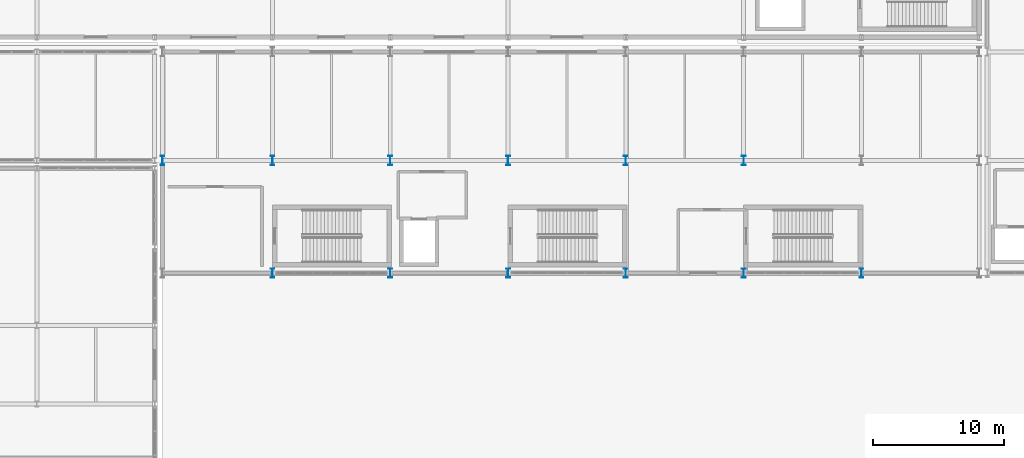
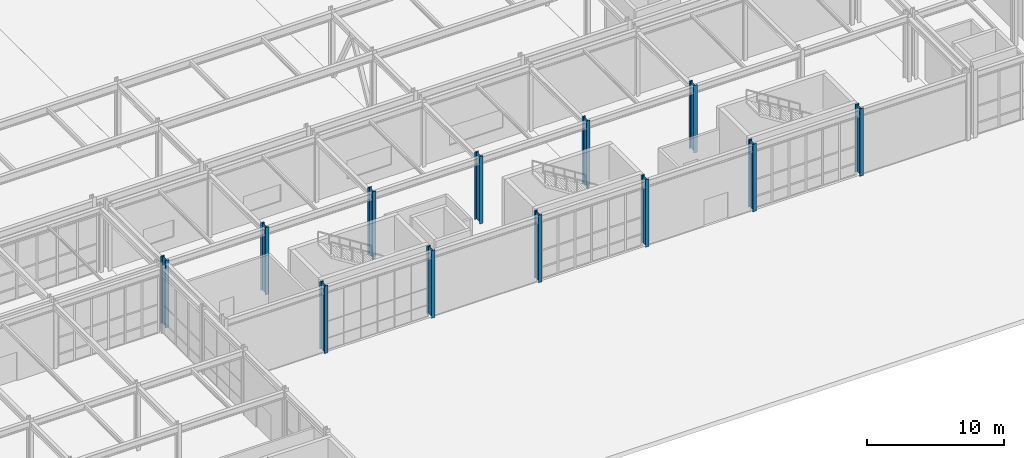
# One storey, part 5 of 146: 12 columns.
"""IFC4 building model written with IfcOpenShell, lengths in metres."""

from ifc_helpers import new_model, si_unit, direction, frame, origin, origin_2d, place, context, subcontext, project, spatial, i_section, extrude, material, material_profile, profile_set, type_object, element, save


model = new_model("IFC4")

# Units and contexts
model_context = context("Model", 3, precision=1e-05, world=origin(), true_north=direction((0.0, 1.0)))
body_context = subcontext(model_context, "Body", "Model", "MODEL_VIEW")
ifc_project = project(units=[si_unit("LENGTHUNIT", "METRE"), si_unit("AREAUNIT", "SQUARE_METRE"), si_unit("VOLUMEUNIT", "CUBIC_METRE"), si_unit("PLANEANGLEUNIT", "RADIAN"), si_unit("MASSUNIT", "GRAM", prefix="KILO")], contexts=[model_context])

# Site, building, storey
site_placement = place(None, origin())
site = spatial("IfcSite", under=ifc_project, at=site_placement, CompositionType="ELEMENT")
building_placement = place(site_placement, origin())
building = spatial("IfcBuilding", under=site, at=building_placement, Name="Kaldris Quays Convention Centre", CompositionType="ELEMENT")
storey_placement = place(building_placement, origin())
storey = spatial("IfcBuildingStorey", under=building, at=storey_placement, Name="L00", CompositionType="ELEMENT", Elevation=0.0)

# Columns
ifc_material = material(Name="Steel S355J2", Category="steel")
ifc_material_profile = material_profile(ifc_material, i_section(OverallWidth=0.300048828125, OverallDepth=0.699951171875, WebThickness=0.01708984375, FlangeThickness=0.031982421875, FilletRadius=0.027099609375, at=origin_2d()), Name="HEB 700")
ifc_profile_set = profile_set([ifc_material_profile], Name="Steel S355J2")
column_type = type_object("IfcColumnType", Name="STRUCTURAL COLUMN CL05", PredefinedType="COLUMN", material=ifc_profile_set)
for number, where, z_axis, x_axis, name in (
    (1, (83.60009765625, 46.60009765625, 0.0), (0.0, 0.0, 1.0), (1.0, 0.0, 0.0), "L00 V4 Column CL05 (83.60, 46.60)"),
    (2, (92.0, 38.0, 0.0), (0.0, 0.0, 1.0), (1.0, 0.0, 0.0), "L00 V4 Column CL05 (92.00, 38.00)"),
    (3, (92.0, 46.60009765625, 0.0), (0.0, 0.0, 1.0), (1.0, 0.0, 0.0), "L00 V4 Column CL05 (92.00, 46.60)"),
    (4, (101.0, 38.0, 0.0), (0.0, 0.0, 1.0), (1.0, 0.0, 0.0), "L00 V4 Column CL05 (101.00, 38.00)"),
    (5, (101.0, 46.60009765625, 0.0), (0.0, 0.0, 1.0), (1.0, 0.0, 0.0), "L00 V4 Column CL05 (101.00, 46.60)"),
    (6, (110.0, 38.0, 0.0), (0.0, 0.0, 1.0), (1.0, 0.0, 0.0), "L00 V4 Column CL05 (110.00, 38.00)"),
    (7, (110.0, 46.60009765625, 0.0), (0.0, 0.0, 1.0), (1.0, 0.0, 0.0), "L00 V4 Column CL05 (110.00, 46.60)"),
    (8, (119.0, 38.0, 0.0), (0.0, 0.0, 1.0), (1.0, 0.0, 0.0), "L00 V4 Column CL05 (119.00, 38.00)"),
    (9, (119.0, 46.60009765625, 0.0), (0.0, 0.0, 1.0), (1.0, 0.0, 0.0), "L00 V4 Column CL05 (119.00, 46.60)"),
    (10, (128.0, 38.0, 0.0), (0.0, 0.0, 1.0), (1.0, 0.0, 0.0), "L00 V4 Column CL05 (128.00, 38.00)"),
    (11, (128.0, 46.60009765625, 0.0), (0.0, 0.0, 1.0), (1.0, 0.0, 0.0), "L00 V4 Column CL05 (128.00, 46.60)"),
    (12, (137.0, 38.0, 0.0), (0.0, 0.0, 1.0), (1.0, 0.0, 0.0), "L00 V4 Column CL05 (137.00, 38.00)"),
):
    element("IfcColumn", number, at=place(storey_placement, frame(where, z_axis=z_axis, x_axis=x_axis)), inside=storey, type_object=column_type, Name=name, PredefinedType="COLUMN", context=body_context, shape_type="SweptSolid", body=[
        extrude(i_section(OverallWidth=0.300048828125, OverallDepth=0.699951171875, WebThickness=0.01708984375, FlangeThickness=0.031982421875, FilletRadius=0.027099609375, at=origin_2d()), origin(), (0.0, 0.0, 1.0), 6.0),
    ])

save(model, "model.ifc")
